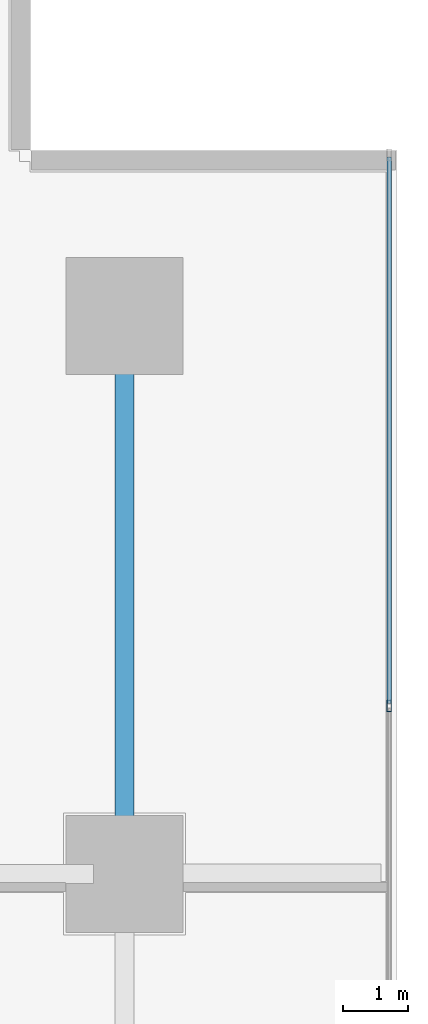
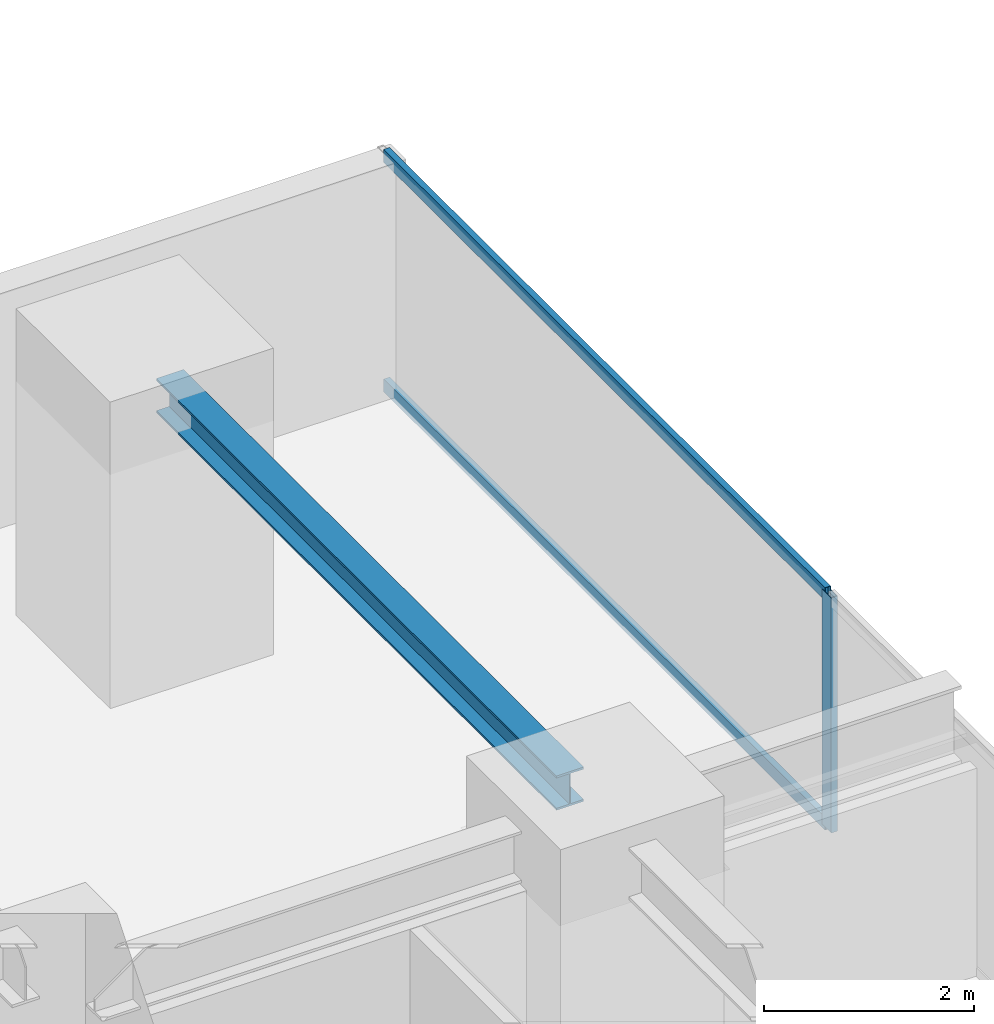
# One storey, part 21 of 33: 3 members, 1 beam, 1 element without a shape of its own.
"""IFC4 building model written with IfcOpenShell, lengths in metres."""

from ifc_helpers import new_model, si_unit, direction, frame, origin, origin_2d, place, context, subcontext, project, spatial, hollow_rectangle, i_section, extrude, source, transform, mapped, material, layer, layer_set, material_profile, profile_set, type_object, element, aggregate, save


model = new_model("IFC4")

# Units and contexts
model_context = context("Model", 3, precision=1e-05, world=origin(), true_north=direction((0.0, 1.0)))
body_context = subcontext(model_context, "Body", "Model", "MODEL_VIEW")
ifc_project = project(units=[si_unit("LENGTHUNIT", "METRE"), si_unit("AREAUNIT", "SQUARE_METRE"), si_unit("VOLUMEUNIT", "CUBIC_METRE"), si_unit("PLANEANGLEUNIT", "RADIAN"), si_unit("MASSUNIT", "GRAM", prefix="KILO")], contexts=[model_context])

# Site, building, storey
site_placement = place(None, origin())
site = spatial("IfcSite", under=ifc_project, at=site_placement, CompositionType="ELEMENT")
building_placement = place(site_placement, origin())
building = spatial("IfcBuilding", under=site, at=building_placement, Name="Sumidabori Civic Tower", CompositionType="ELEMENT")
storey_placement = place(building_placement, frame((0.0, 0.0, 38.0)))
storey = spatial("IfcBuildingStorey", under=building, at=storey_placement, Name="L09", CompositionType="ELEMENT", Elevation=38.0)

# Beam
ifc_material_1 = material(Name="Steel SN490", Category="steel")
ifc_material_profile_1 = material_profile(ifc_material_1, i_section(OverallWidth=0.300048828125, OverallDepth=0.39990234375, WebThickness=0.013427734375, FlangeThickness=0.02392578125, at=origin_2d()), Name="HE 400 B")
ifc_profile_set_1 = profile_set([ifc_material_profile_1], Name="Steel SN490")
beam_type = type_object("IfcBeamType", Name="BM-GIRD-400", PredefinedType="BEAM", material=ifc_profile_set_1)
shared_shape_1 = source(origin(), body_context, "Body", "SweptSolid", [
    extrude(i_section(OverallWidth=0.300048828125, OverallDepth=0.39990234375, WebThickness=0.013427734375, FlangeThickness=0.02392578125, at=origin_2d()), origin(), (0.0, 0.0, 1.0), 7.64013671875),
])
beam_placement = place(storey_placement, frame((22.800048828125, 10.679931640625, 3.159912109375), z_axis=(0.0, 1.0, 0.0), x_axis=(-1.0, 0.0, 0.0)))
element("IfcBeam", 1, at=beam_placement, inside=storey, type_object=beam_type, Name="Primary Girder L09 GY-42", PredefinedType="BEAM", context=body_context, shape_type="MappedRepresentation", body=[
    mapped(shared_shape_1, transform((0.0, 0.0, 0.0), x_axis=(1.0, 0.0, 0.0), y_axis=(0.0, 1.0, 0.0), z_axis=(0.0, 0.0, 1.0), scale=1.0)),
])

# Curtain wall, members
ifc_material_2 = material(Name="Anodised Bronze Aluminium AW-6063-T6", Category="aluminium")
ifc_layer = layer(ifc_material_2, 0.179931640625, Name="Anodised Bronze Aluminium AW-6063-T6")
ifc_layer_set = layer_set([ifc_layer], Name="Anodised Bronze Aluminium AW-6063-T6")
curtain_wall_type = type_object("IfcCurtainWallType", Name="CW-SYS-2", PredefinedType="NOTDEFINED", material=ifc_layer_set)
curtain_wall_placement = place(storey_placement, origin())
curtain_wall = element("IfcCurtainWall", 2, at=curtain_wall_placement, inside=storey, type_object=curtain_wall_type, Name="Curtain Wall CW:L09:R04", PredefinedType="NOTDEFINED")
ifc_material_profile_2 = material_profile(ifc_material_2, hollow_rectangle(XDim=0.070068359375, YDim=0.179931640625, WallThickness=0.006103515625, at=origin_2d()), Name="ALU MULLION 180x70")
ifc_profile_set_2 = profile_set([ifc_material_profile_2], Name="Anodised Bronze Aluminium AW-6063-T6")
member_type_1 = type_object("IfcMemberType", Name="CW-MUL-180", PredefinedType="MULLION", material=ifc_profile_set_2)
shared_shape_2 = source(origin(), body_context, "Body", "SweptSolid", [
    extrude(hollow_rectangle(XDim=0.070068359375, YDim=0.179931640625, WallThickness=0.006103515625, at=origin_2d()), origin(), (0.0, 0.0, 1.0), 2.739990234375),
])
member_1_placement = place(storey_placement, frame((26.8798828125, 12.7919921875, 0.0), z_axis=(0.0, 0.0, 1.0), x_axis=(-1.0, 0.0, 0.0)))
member_1 = element("IfcMember", 3, at=member_1_placement, type_object=member_type_1, Name="CW-2 mullion 5", PredefinedType="MULLION", context=body_context, shape_type="MappedRepresentation", body=[
    mapped(shared_shape_2, transform((0.0, 0.0, 0.0), x_axis=(1.0, 0.0, 0.0), y_axis=(0.0, 1.0, 0.0), z_axis=(0.0, 0.0, 1.0), scale=1.0)),
])
ifc_material_profile_3 = material_profile(ifc_material_2, hollow_rectangle(XDim=0.06494140625, YDim=0.14990234375, WallThickness=0.0048828125, at=origin_2d()), Name="ALU TRANSOM 150x65")
ifc_profile_set_3 = profile_set([ifc_material_profile_3], Name="Anodised Bronze Aluminium AW-6063-T6")
member_type_2 = type_object("IfcMemberType", Name="CW-TRN-150", PredefinedType="USERDEFINED", material=ifc_profile_set_3)
shared_shape_3 = source(origin(), body_context, "Body", "SweptSolid", [
    extrude(hollow_rectangle(XDim=0.06494140625, YDim=0.14990234375, WallThickness=0.0048828125, at=origin_2d()), origin(), (0.0, 0.0, 1.0), 8.423095703125),
])
member_2_placement = place(storey_placement, frame((26.8798828125, 12.826904296875, 0.032470703125), z_axis=(0.0, 1.0, 0.0), x_axis=(-1.0, 0.0, 0.0)))
member_2 = element("IfcMember", 4, at=member_2_placement, type_object=member_type_2, Name="CW-2 transom 5.1", ObjectType="TRANSOM", PredefinedType="USERDEFINED", context=body_context, shape_type="MappedRepresentation", body=[
    mapped(shared_shape_3, transform((0.0, 0.0, 0.0), x_axis=(1.0, 0.0, 0.0), y_axis=(0.0, 1.0, 0.0), z_axis=(0.0, 0.0, 1.0), scale=1.0)),
])
member_3_placement = place(storey_placement, frame((26.8798828125, 12.826904296875, 2.70751953125), z_axis=(0.0, 1.0, 0.0), x_axis=(-1.0, 0.0, 0.0)))
member_3 = element("IfcMember", 5, at=member_3_placement, type_object=member_type_2, Name="CW-2 transom 5.2", ObjectType="TRANSOM", PredefinedType="USERDEFINED", context=body_context, shape_type="MappedRepresentation", body=[
    mapped(shared_shape_3, transform((0.0, 0.0, 0.0), x_axis=(1.0, 0.0, 0.0), y_axis=(0.0, 1.0, 0.0), z_axis=(0.0, 0.0, 1.0), scale=1.0)),
])
aggregate(curtain_wall, [member_1, member_2, member_3])

save(model, "model.ifc")
